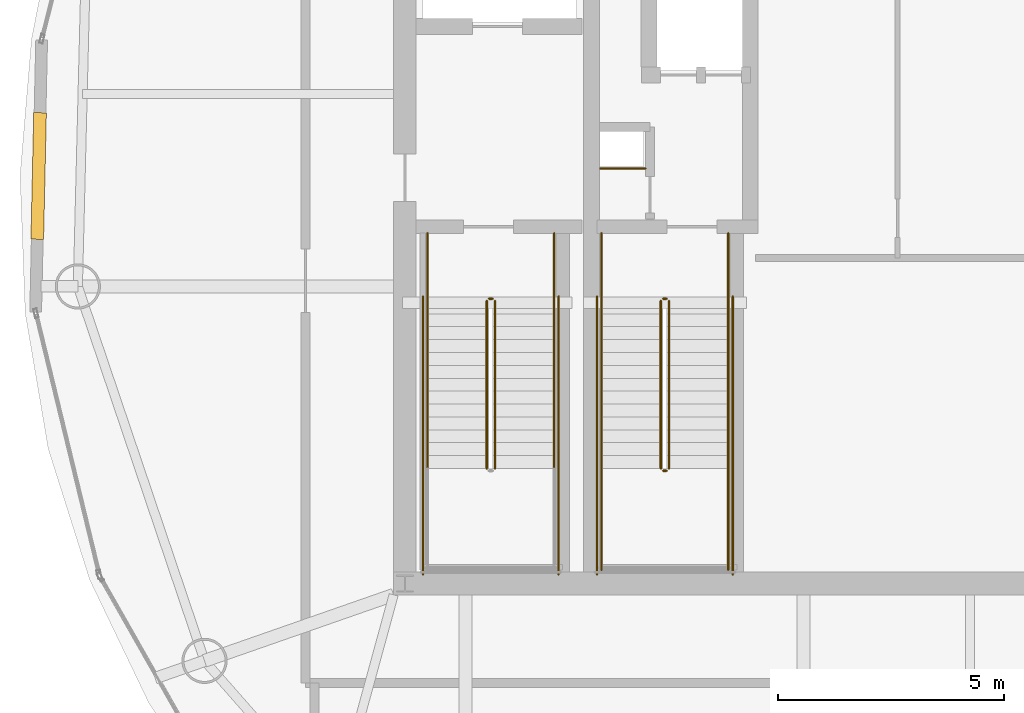
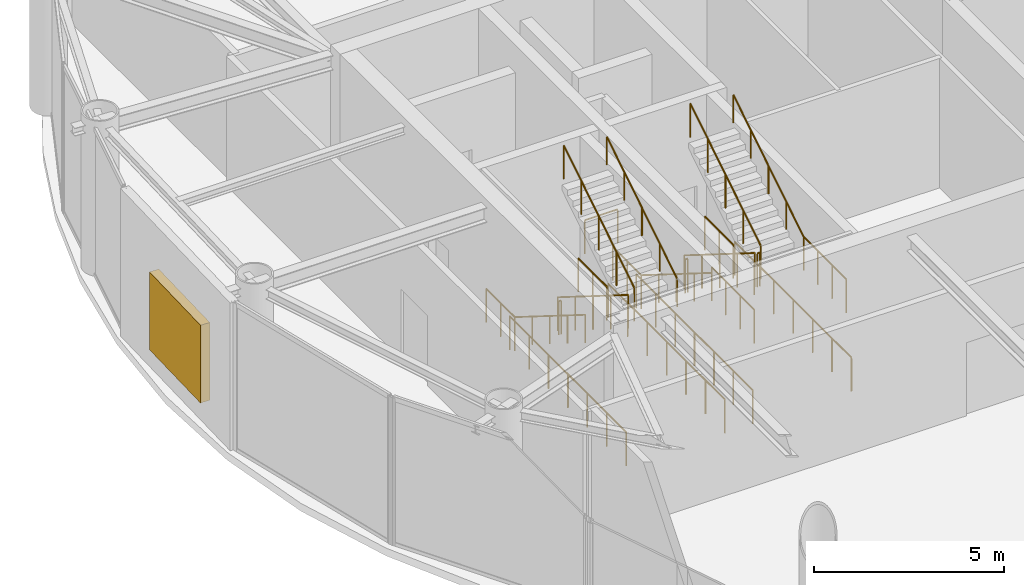
# One storey, part 21 of 23: 22 railings, 1 shading device.
"""IFC4 building model written with IfcOpenShell, lengths in metres."""

from ifc_helpers import new_model, si_unit, direction, frame, origin, origin_2d, place, context, subcontext, project, spatial, rectangle, circle, extrude, material, type_object, element, save


model = new_model("IFC4")

# Units and contexts
model_context = context("Model", 3, precision=1e-05, world=origin(), true_north=direction((0.0, 1.0)))
body_context = subcontext(model_context, "Body", "Model", "MODEL_VIEW")
ifc_project = project(units=[si_unit("LENGTHUNIT", "METRE"), si_unit("AREAUNIT", "SQUARE_METRE"), si_unit("VOLUMEUNIT", "CUBIC_METRE"), si_unit("PLANEANGLEUNIT", "RADIAN"), si_unit("MASSUNIT", "GRAM", prefix="KILO")], contexts=[model_context])

# Site, building, storey
site_placement = place(None, origin())
site = spatial("IfcSite", under=ifc_project, at=site_placement, CompositionType="ELEMENT")
building_placement = place(site_placement, origin())
building = spatial("IfcBuilding", under=site, at=building_placement, Name="Bramvorn Convention Spire", CompositionType="ELEMENT")
storey_placement = place(building_placement, frame((0.0, 0.0, 307.5)))
storey = spatial("IfcBuildingStorey", under=building, at=storey_placement, Name="L78", CompositionType="ELEMENT", Elevation=307.5)

# Railings
ifc_material_1 = material(Name="Painted Steel Balustrade & Guardrail", Category="steel")
railing_type_1 = type_object("IfcRailingType", Name="RL-STAIR-GUARD-1100", PredefinedType="GUARDRAIL", material=ifc_material_1)
railing_1_placement = place(storey_placement, frame((28.81005859375, 25.050048828125, 0.178466796875)))
element("IfcRailing", 1, at=railing_1_placement, inside=storey, type_object=railing_type_1, Name="L78 ST1 stair guard 1", PredefinedType="GUARDRAIL", context=body_context, shape_type="SweptSolid", body=[
    extrude(circle(Radius=0.02392578125, at=origin_2d()), frame((0.0, 0.0, 1.076171875), z_axis=(0.0, -0.847395460354, 0.530962271514), x_axis=(1.0, 0.0, 0.0)), (0.0, 0.0, 1.0), 4.372314453125),
    extrude(circle(Radius=0.02099609375, at=origin_2d()), origin(), (0.0, 0.0, 1.0), 1.052001953125),
    extrude(circle(Radius=0.02099609375, at=origin_2d()), frame((0.0, -0.92626953125, 0.580322265625)), (0.0, 0.0, 1.0), 1.052001953125),
    extrude(circle(Radius=0.02099609375, at=origin_2d()), frame((0.0, -1.8525390625, 1.16064453125)), (0.0, 0.0, 1.0), 1.052001953125),
    extrude(circle(Radius=0.02099609375, at=origin_2d()), frame((0.0, -2.77880859375, 1.7412109375)), (0.0, 0.0, 1.0), 1.052001953125),
    extrude(circle(Radius=0.02099609375, at=origin_2d()), frame((0.0, -3.705078125, 2.321533203125)), (0.0, 0.0, 1.0), 1.052001953125),
])
railing_2_placement = place(storey_placement, frame((28.989990234375, 21.344970703125, 2.678466796875)))
element("IfcRailing", 2, at=railing_2_placement, inside=storey, type_object=railing_type_1, Name="L78 ST1 stair guard 6", PredefinedType="GUARDRAIL", context=body_context, shape_type="SweptSolid", body=[
    extrude(circle(Radius=0.02392578125, at=origin_2d()), frame((0.0, 0.0, 1.076171875), z_axis=(0.0, 0.847395460354, 0.530962271514), x_axis=(-1.0, 0.0, 0.0)), (0.0, 0.0, 1.0), 4.372314453125),
    extrude(circle(Radius=0.02099609375, at=origin_2d()), origin(), (0.0, 0.0, 1.0), 1.052001953125),
    extrude(circle(Radius=0.02099609375, at=origin_2d()), frame((0.0, 0.92626953125, 0.580322265625)), (0.0, 0.0, 1.0), 1.052001953125),
    extrude(circle(Radius=0.02099609375, at=origin_2d()), frame((0.0, 1.8525390625, 1.16064453125)), (0.0, 0.0, 1.0), 1.052001953125),
    extrude(circle(Radius=0.02099609375, at=origin_2d()), frame((0.0, 2.77880859375, 1.7412109375)), (0.0, 0.0, 1.0), 1.052001953125),
    extrude(circle(Radius=0.02099609375, at=origin_2d()), frame((0.0, 3.705078125, 2.321533203125)), (0.0, 0.0, 1.0), 1.052001953125),
])
railing_3_placement = place(storey_placement, frame((28.860107421875, 25.10009765625, 0.0)))
element("IfcRailing", 3, at=railing_3_placement, inside=storey, type_object=railing_type_1, Name="L78 ST1 stair guard 7", PredefinedType="GUARDRAIL", context=body_context, shape_type="SweptSolid", body=[
    extrude(circle(Radius=0.02392578125, at=origin_2d()), frame((0.0, 0.0, 1.076171875), z_axis=(1.0, 0.0, 0.0), x_axis=(0.0, 1.0, 0.0)), (0.0, 0.0, 1.0), 0.079833984375),
    extrude(circle(Radius=0.02099609375, at=origin_2d()), origin(), (0.0, 0.0, 1.0), 1.052001953125),
    extrude(circle(Radius=0.02099609375, at=origin_2d()), frame((0.079833984375, 0.0, 0.0)), (0.0, 0.0, 1.0), 1.052001953125),
])
for number, where, name in (
    (4, (27.5, 26.550048828125, 0.0), "L78 ST1 stair guard 8"),
    (5, (30.300048828125, 26.550048828125, 0.0), "L78 ST1 stair guard 9"),
):
    element("IfcRailing", number, at=place(storey_placement, frame(where)), inside=storey, type_object=railing_type_1, Name=name, PredefinedType="GUARDRAIL", context=body_context, shape_type="SweptSolid", body=[
        extrude(circle(Radius=0.02392578125, at=origin_2d()), frame((0.0, 0.0, 1.076171875), z_axis=(0.0, -1.0, 0.0), x_axis=(1.0, 0.0, 0.0)), (0.0, 0.0, 1.0), 1.5),
        extrude(circle(Radius=0.02099609375, at=origin_2d()), origin(), (0.0, 0.0, 1.0), 1.052001953125),
        extrude(circle(Radius=0.02099609375, at=origin_2d()), frame((0.0, -0.75, 0.0)), (0.0, 0.0, 1.0), 1.052001953125),
        extrude(circle(Radius=0.02099609375, at=origin_2d()), frame((0.0, -1.5, 0.0)), (0.0, 0.0, 1.0), 1.052001953125),
    ])
for number, where, name in (
    (6, (27.39990234375, 25.14990234375, 0.0), "L78 ST1 stair guard 10"),
    (7, (30.39990234375, 25.14990234375, 0.0), "L78 ST1 stair guard 11"),
):
    element("IfcRailing", number, at=place(storey_placement, frame(where)), inside=storey, type_object=railing_type_1, Name=name, PredefinedType="GUARDRAIL", context=body_context, shape_type="SweptSolid", body=[
        extrude(circle(Radius=0.02392578125, at=origin_2d()), frame((0.0, 0.0, 1.076171875), z_axis=(0.0, -1.0, 0.0), x_axis=(1.0, 0.0, 0.0)), (0.0, 0.0, 1.0), 6.14990234375),
        extrude(circle(Radius=0.02099609375, at=origin_2d()), origin(), (0.0, 0.0, 1.0), 1.052001953125),
        extrude(circle(Radius=0.02099609375, at=origin_2d()), frame((0.0, -1.02490234375, 0.0)), (0.0, 0.0, 1.0), 1.052001953125),
        extrude(circle(Radius=0.02099609375, at=origin_2d()), frame((0.0, -2.050048828125, 0.0)), (0.0, 0.0, 1.0), 1.052001953125),
        extrude(circle(Radius=0.02099609375, at=origin_2d()), frame((0.0, -3.074951171875, 0.0)), (0.0, 0.0, 1.0), 1.052001953125),
        extrude(circle(Radius=0.02099609375, at=origin_2d()), frame((0.0, -4.099853515625, 0.0)), (0.0, 0.0, 1.0), 1.052001953125),
        extrude(circle(Radius=0.02099609375, at=origin_2d()), frame((0.0, -5.125, 0.0)), (0.0, 0.0, 1.0), 1.052001953125),
        extrude(circle(Radius=0.02099609375, at=origin_2d()), frame((0.0, -6.14990234375, 0.0)), (0.0, 0.0, 1.0), 1.052001953125),
    ])
railing_4_placement = place(storey_placement, frame((32.659912109375, 25.050048828125, 0.178466796875)))
element("IfcRailing", 8, at=railing_4_placement, inside=storey, type_object=railing_type_1, Name="L78 ST3 stair guard 1", PredefinedType="GUARDRAIL", context=body_context, shape_type="SweptSolid", body=[
    extrude(circle(Radius=0.02392578125, at=origin_2d()), frame((0.0, 0.0, 1.076171875), z_axis=(0.0, -0.847395460354, 0.530962271514), x_axis=(1.0, 0.0, 0.0)), (0.0, 0.0, 1.0), 4.372314453125),
    extrude(circle(Radius=0.02099609375, at=origin_2d()), origin(), (0.0, 0.0, 1.0), 1.052001953125),
    extrude(circle(Radius=0.02099609375, at=origin_2d()), frame((0.0, -0.92626953125, 0.580322265625)), (0.0, 0.0, 1.0), 1.052001953125),
    extrude(circle(Radius=0.02099609375, at=origin_2d()), frame((0.0, -1.8525390625, 1.16064453125)), (0.0, 0.0, 1.0), 1.052001953125),
    extrude(circle(Radius=0.02099609375, at=origin_2d()), frame((0.0, -2.77880859375, 1.7412109375)), (0.0, 0.0, 1.0), 1.052001953125),
    extrude(circle(Radius=0.02099609375, at=origin_2d()), frame((0.0, -3.705078125, 2.321533203125)), (0.0, 0.0, 1.0), 1.052001953125),
])
railing_5_placement = place(storey_placement, frame((32.7099609375, 21.294921875, 2.5)))
element("IfcRailing", 9, at=railing_5_placement, inside=storey, type_object=railing_type_1, Name="L78 ST3 stair guard 2", PredefinedType="GUARDRAIL", context=body_context, shape_type="SweptSolid", body=[
    extrude(circle(Radius=0.02392578125, at=origin_2d()), frame((0.0, 0.0, 1.076171875), z_axis=(1.0, 0.0, 0.0), x_axis=(0.0, 1.0, 0.0)), (0.0, 0.0, 1.0), 0.080078125),
    extrude(circle(Radius=0.02099609375, at=origin_2d()), origin(), (0.0, 0.0, 1.0), 1.052001953125),
    extrude(circle(Radius=0.02099609375, at=origin_2d()), frame((0.080078125, 0.0, 0.0)), (0.0, 0.0, 1.0), 1.052001953125),
])
for number, where, name in (
    (10, (31.35009765625, 21.344970703125, 2.5), "L78 ST3 stair guard 3"),
    (11, (34.14990234375, 21.344970703125, 2.5), "L78 ST3 stair guard 4"),
):
    element("IfcRailing", number, at=place(storey_placement, frame(where)), inside=storey, type_object=railing_type_1, Name=name, PredefinedType="GUARDRAIL", context=body_context, shape_type="SweptSolid", body=[
        extrude(circle(Radius=0.02392578125, at=origin_2d()), frame((0.0, 0.0, 1.076171875), z_axis=(0.0, -1.0, 0.0), x_axis=(1.0, 0.0, 0.0)), (0.0, 0.0, 1.0), 2.244873046875),
        extrude(circle(Radius=0.02099609375, at=origin_2d()), origin(), (0.0, 0.0, 1.0), 1.052001953125),
        extrude(circle(Radius=0.02099609375, at=origin_2d()), frame((0.0, -0.748291015625, 0.0)), (0.0, 0.0, 1.0), 1.052001953125),
        extrude(circle(Radius=0.02099609375, at=origin_2d()), frame((0.0, -1.49658203125, 0.0)), (0.0, 0.0, 1.0), 1.052001953125),
        extrude(circle(Radius=0.02099609375, at=origin_2d()), frame((0.0, -2.244873046875, 0.0)), (0.0, 0.0, 1.0), 1.052001953125),
    ])
railing_6_placement = place(storey_placement, frame((32.840087890625, 21.344970703125, 2.678466796875)))
element("IfcRailing", 12, at=railing_6_placement, inside=storey, type_object=railing_type_1, Name="L78 ST3 stair guard 6", PredefinedType="GUARDRAIL", context=body_context, shape_type="SweptSolid", body=[
    extrude(circle(Radius=0.02392578125, at=origin_2d()), frame((0.0, 0.0, 1.076171875), z_axis=(0.0, 0.847395460354, 0.530962271514), x_axis=(-1.0, 0.0, 0.0)), (0.0, 0.0, 1.0), 4.372314453125),
    extrude(circle(Radius=0.02099609375, at=origin_2d()), origin(), (0.0, 0.0, 1.0), 1.052001953125),
    extrude(circle(Radius=0.02099609375, at=origin_2d()), frame((0.0, 0.92626953125, 0.580322265625)), (0.0, 0.0, 1.0), 1.052001953125),
    extrude(circle(Radius=0.02099609375, at=origin_2d()), frame((0.0, 1.8525390625, 1.16064453125)), (0.0, 0.0, 1.0), 1.052001953125),
    extrude(circle(Radius=0.02099609375, at=origin_2d()), frame((0.0, 2.77880859375, 1.7412109375)), (0.0, 0.0, 1.0), 1.052001953125),
    extrude(circle(Radius=0.02099609375, at=origin_2d()), frame((0.0, 3.705078125, 2.321533203125)), (0.0, 0.0, 1.0), 1.052001953125),
])
railing_7_placement = place(storey_placement, frame((32.7099609375, 25.10009765625, 0.0)))
element("IfcRailing", 13, at=railing_7_placement, inside=storey, type_object=railing_type_1, Name="L78 ST3 stair guard 7", PredefinedType="GUARDRAIL", context=body_context, shape_type="SweptSolid", body=[
    extrude(circle(Radius=0.02392578125, at=origin_2d()), frame((0.0, 0.0, 1.076171875), z_axis=(1.0, 0.0, 0.0), x_axis=(0.0, 1.0, 0.0)), (0.0, 0.0, 1.0), 0.080078125),
    extrude(circle(Radius=0.02099609375, at=origin_2d()), origin(), (0.0, 0.0, 1.0), 1.052001953125),
    extrude(circle(Radius=0.02099609375, at=origin_2d()), frame((0.080078125, 0.0, 0.0)), (0.0, 0.0, 1.0), 1.052001953125),
])
for number, where, name in (
    (14, (31.35009765625, 26.550048828125, 0.0), "L78 ST3 stair guard 8"),
    (15, (34.14990234375, 26.550048828125, 0.0), "L78 ST3 stair guard 9"),
):
    element("IfcRailing", number, at=place(storey_placement, frame(where)), inside=storey, type_object=railing_type_1, Name=name, PredefinedType="GUARDRAIL", context=body_context, shape_type="SweptSolid", body=[
        extrude(circle(Radius=0.02392578125, at=origin_2d()), frame((0.0, 0.0, 1.076171875), z_axis=(0.0, -1.0, 0.0), x_axis=(1.0, 0.0, 0.0)), (0.0, 0.0, 1.0), 1.5),
        extrude(circle(Radius=0.02099609375, at=origin_2d()), origin(), (0.0, 0.0, 1.0), 1.052001953125),
        extrude(circle(Radius=0.02099609375, at=origin_2d()), frame((0.0, -0.75, 0.0)), (0.0, 0.0, 1.0), 1.052001953125),
        extrude(circle(Radius=0.02099609375, at=origin_2d()), frame((0.0, -1.5, 0.0)), (0.0, 0.0, 1.0), 1.052001953125),
    ])
for number, where, name in (
    (16, (31.25, 25.14990234375, 0.0), "L78 ST3 stair guard 10"),
    (17, (34.25, 25.14990234375, 0.0), "L78 ST3 stair guard 11"),
):
    element("IfcRailing", number, at=place(storey_placement, frame(where)), inside=storey, type_object=railing_type_1, Name=name, PredefinedType="GUARDRAIL", context=body_context, shape_type="SweptSolid", body=[
        extrude(circle(Radius=0.02392578125, at=origin_2d()), frame((0.0, 0.0, 1.076171875), z_axis=(0.0, -1.0, 0.0), x_axis=(1.0, 0.0, 0.0)), (0.0, 0.0, 1.0), 6.14990234375),
        extrude(circle(Radius=0.02099609375, at=origin_2d()), origin(), (0.0, 0.0, 1.0), 1.052001953125),
        extrude(circle(Radius=0.02099609375, at=origin_2d()), frame((0.0, -1.02490234375, 0.0)), (0.0, 0.0, 1.0), 1.052001953125),
        extrude(circle(Radius=0.02099609375, at=origin_2d()), frame((0.0, -2.050048828125, 0.0)), (0.0, 0.0, 1.0), 1.052001953125),
        extrude(circle(Radius=0.02099609375, at=origin_2d()), frame((0.0, -3.074951171875, 0.0)), (0.0, 0.0, 1.0), 1.052001953125),
        extrude(circle(Radius=0.02099609375, at=origin_2d()), frame((0.0, -4.099853515625, 0.0)), (0.0, 0.0, 1.0), 1.052001953125),
        extrude(circle(Radius=0.02099609375, at=origin_2d()), frame((0.0, -5.125, 0.0)), (0.0, 0.0, 1.0), 1.052001953125),
        extrude(circle(Radius=0.02099609375, at=origin_2d()), frame((0.0, -6.14990234375, 0.0)), (0.0, 0.0, 1.0), 1.052001953125),
    ])
railing_8_placement = place(storey_placement, frame((31.320068359375, 27.97998046875, 0.0)))
element("IfcRailing", 18, at=railing_8_placement, inside=storey, type_object=railing_type_1, Name="L78 Telecom riser shaft opening safety guardrail", PredefinedType="GUARDRAIL", context=body_context, shape_type="SweptSolid", body=[
    extrude(circle(Radius=0.02392578125, at=origin_2d()), frame((0.0, 0.0, 1.076171875), z_axis=(1.0, 0.0, 0.0), x_axis=(0.0, 1.0, 0.0)), (0.0, 0.0, 1.0), 1.0),
    extrude(circle(Radius=0.02099609375, at=origin_2d()), origin(), (0.0, 0.0, 1.0), 1.052001953125),
    extrude(circle(Radius=0.02099609375, at=origin_2d()), frame((1.0, 0.0, 0.0)), (0.0, 0.0, 1.0), 1.052001953125),
])
ifc_material_2 = material(Name="Brushed Bronze Tubular Handrail", Category="aluminium")
railing_type_2 = type_object("IfcRailingType", Name="RL-STAIR-HR-920", PredefinedType="HANDRAIL", material=ifc_material_2)
railing_9_placement = place(storey_placement, frame((27.5, 25.050048828125, 0.178466796875)))
element("IfcRailing", 19, at=railing_9_placement, inside=storey, type_object=railing_type_2, Name="L78 ST1 stair handrail 1", PredefinedType="HANDRAIL", context=body_context, shape_type="SweptSolid", body=[
    extrude(circle(Radius=0.02392578125, at=origin_2d()), frame((0.0, 0.0, 0.89599609375), z_axis=(0.0, -0.847395460354, 0.530962271514), x_axis=(1.0, 0.0, 0.0)), (0.0, 0.0, 1.0), 4.372314453125),
    extrude(circle(Radius=0.02099609375, at=origin_2d()), origin(), (0.0, 0.0, 1.0), 0.871826171875),
    extrude(circle(Radius=0.02099609375, at=origin_2d()), frame((0.0, -0.92626953125, 0.580322265625)), (0.0, 0.0, 1.0), 0.871826171875),
    extrude(circle(Radius=0.02099609375, at=origin_2d()), frame((0.0, -1.8525390625, 1.16064453125)), (0.0, 0.0, 1.0), 0.871826171875),
    extrude(circle(Radius=0.02099609375, at=origin_2d()), frame((0.0, -2.77880859375, 1.7412109375)), (0.0, 0.0, 1.0), 0.871826171875),
    extrude(circle(Radius=0.02099609375, at=origin_2d()), frame((0.0, -3.705078125, 2.321533203125)), (0.0, 0.0, 1.0), 0.871826171875),
])
railing_10_placement = place(storey_placement, frame((30.300048828125, 21.344970703125, 2.678466796875)))
element("IfcRailing", 20, at=railing_10_placement, inside=storey, type_object=railing_type_2, Name="L78 ST1 stair handrail 2", PredefinedType="HANDRAIL", context=body_context, shape_type="SweptSolid", body=[
    extrude(circle(Radius=0.02392578125, at=origin_2d()), frame((0.0, 0.0, 0.89599609375), z_axis=(0.0, 0.847395460354, 0.530962271514), x_axis=(-1.0, 0.0, 0.0)), (0.0, 0.0, 1.0), 4.372314453125),
    extrude(circle(Radius=0.02099609375, at=origin_2d()), origin(), (0.0, 0.0, 1.0), 0.871826171875),
    extrude(circle(Radius=0.02099609375, at=origin_2d()), frame((0.0, 0.92626953125, 0.580322265625)), (0.0, 0.0, 1.0), 0.871826171875),
    extrude(circle(Radius=0.02099609375, at=origin_2d()), frame((0.0, 1.8525390625, 1.16064453125)), (0.0, 0.0, 1.0), 0.871826171875),
    extrude(circle(Radius=0.02099609375, at=origin_2d()), frame((0.0, 2.77880859375, 1.7412109375)), (0.0, 0.0, 1.0), 0.871826171875),
    extrude(circle(Radius=0.02099609375, at=origin_2d()), frame((0.0, 3.705078125, 2.321533203125)), (0.0, 0.0, 1.0), 0.871826171875),
])
railing_11_placement = place(storey_placement, frame((31.35009765625, 25.050048828125, 0.178466796875)))
element("IfcRailing", 21, at=railing_11_placement, inside=storey, type_object=railing_type_2, Name="L78 ST3 stair handrail 1", PredefinedType="HANDRAIL", context=body_context, shape_type="SweptSolid", body=[
    extrude(circle(Radius=0.02392578125, at=origin_2d()), frame((0.0, 0.0, 0.89599609375), z_axis=(0.0, -0.847395460354, 0.530962271514), x_axis=(1.0, 0.0, 0.0)), (0.0, 0.0, 1.0), 4.372314453125),
    extrude(circle(Radius=0.02099609375, at=origin_2d()), origin(), (0.0, 0.0, 1.0), 0.871826171875),
    extrude(circle(Radius=0.02099609375, at=origin_2d()), frame((0.0, -0.92626953125, 0.580322265625)), (0.0, 0.0, 1.0), 0.871826171875),
    extrude(circle(Radius=0.02099609375, at=origin_2d()), frame((0.0, -1.8525390625, 1.16064453125)), (0.0, 0.0, 1.0), 0.871826171875),
    extrude(circle(Radius=0.02099609375, at=origin_2d()), frame((0.0, -2.77880859375, 1.7412109375)), (0.0, 0.0, 1.0), 0.871826171875),
    extrude(circle(Radius=0.02099609375, at=origin_2d()), frame((0.0, -3.705078125, 2.321533203125)), (0.0, 0.0, 1.0), 0.871826171875),
])
railing_12_placement = place(storey_placement, frame((34.14990234375, 21.344970703125, 2.678466796875)))
element("IfcRailing", 22, at=railing_12_placement, inside=storey, type_object=railing_type_2, Name="L78 ST3 stair handrail 2", PredefinedType="HANDRAIL", context=body_context, shape_type="SweptSolid", body=[
    extrude(circle(Radius=0.02392578125, at=origin_2d()), frame((0.0, 0.0, 0.89599609375), z_axis=(0.0, 0.847395460354, 0.530962271514), x_axis=(-1.0, 0.0, 0.0)), (0.0, 0.0, 1.0), 4.372314453125),
    extrude(circle(Radius=0.02099609375, at=origin_2d()), origin(), (0.0, 0.0, 1.0), 0.871826171875),
    extrude(circle(Radius=0.02099609375, at=origin_2d()), frame((0.0, 0.92626953125, 0.580322265625)), (0.0, 0.0, 1.0), 0.871826171875),
    extrude(circle(Radius=0.02099609375, at=origin_2d()), frame((0.0, 1.8525390625, 1.16064453125)), (0.0, 0.0, 1.0), 0.871826171875),
    extrude(circle(Radius=0.02099609375, at=origin_2d()), frame((0.0, 2.77880859375, 1.7412109375)), (0.0, 0.0, 1.0), 0.871826171875),
    extrude(circle(Radius=0.02099609375, at=origin_2d()), frame((0.0, 3.705078125, 2.321533203125)), (0.0, 0.0, 1.0), 0.871826171875),
])

# Shading device
ifc_material_3 = material(Name="Acoustic Storm-Proof Anodised Bronze Aluminium Louvre", Category="aluminium")
shading_device_type = type_object("IfcShadingDeviceType", Name="SHD-LOUVRE-PLANT", PredefinedType="JALOUSIE", material=ifc_material_3)
shading_device_placement = place(storey_placement, frame((18.8984375, 27.814453125, 0.550048828125), z_axis=(0.0, 0.0, 1.0), x_axis=(0.022045394333, 0.999756970763, 0.0)))
element("IfcShadingDevice", 23, at=shading_device_placement, inside=storey, type_object=shading_device_type, Name="L78 plant intake/exhaust acoustic louvre 17", PredefinedType="JALOUSIE", context=body_context, shape_type="SweptSolid", body=[
    extrude(rectangle(XDim=2.800048828125, YDim=0.280029296875, at=origin_2d()), origin(), (0.0, 0.0, 1.0), 2.5),
])

save(model, "model.ifc")
